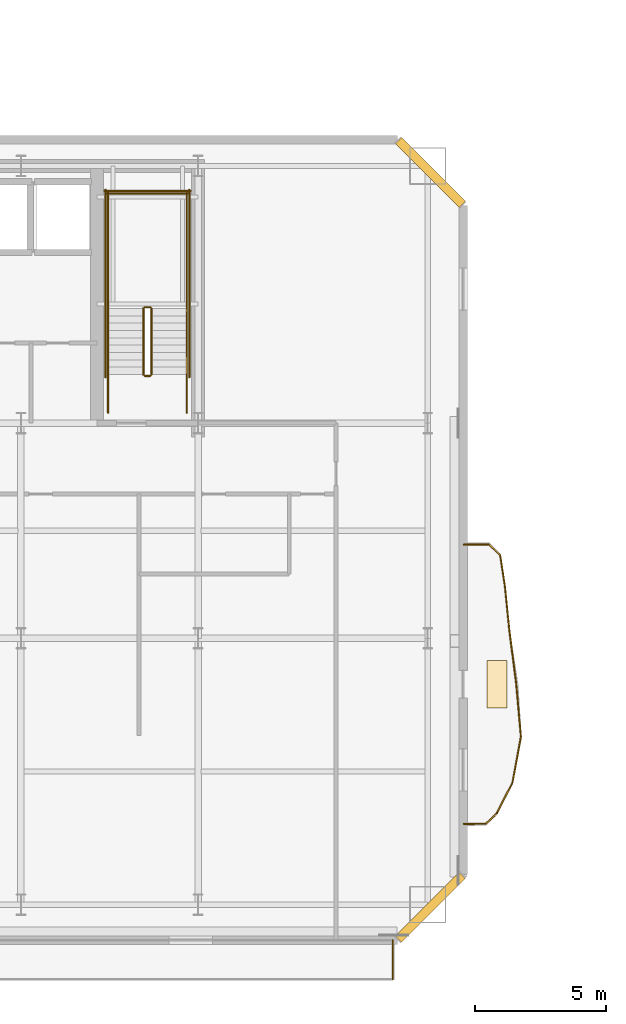
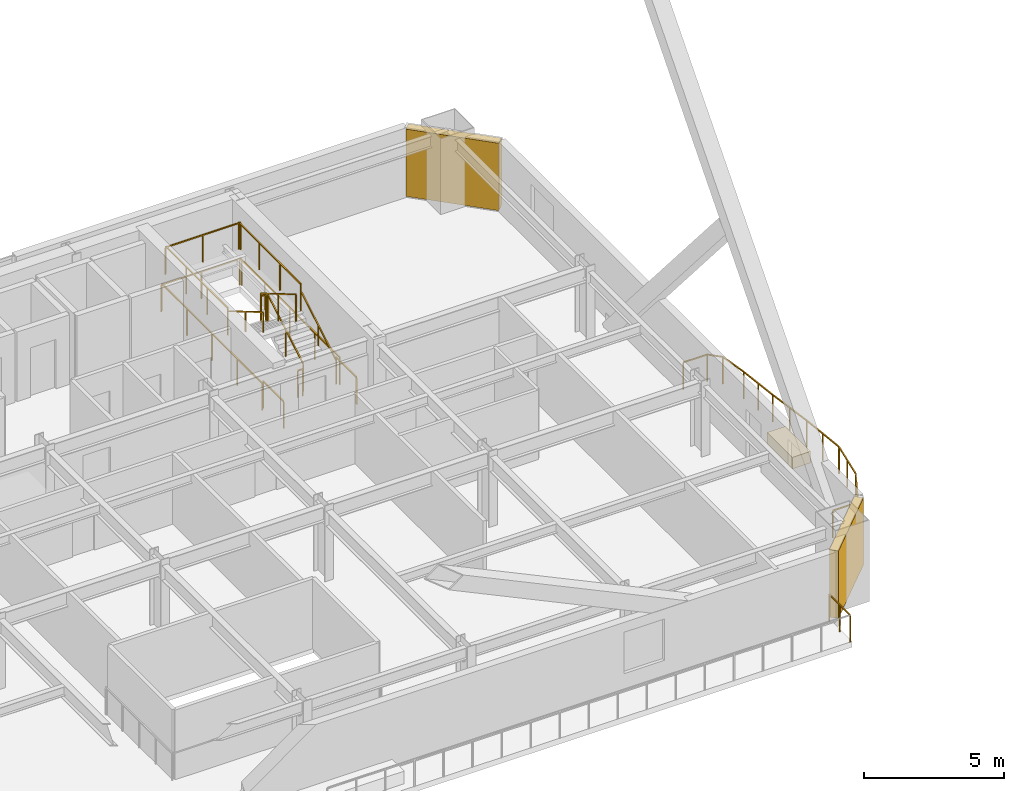
# One storey, part 19 of 22: 25 railings, 2 shading devices, 1 covering.
"""IFC4 building model written with IfcOpenShell, lengths in metres."""

from ifc_helpers import new_model, si_unit, direction, frame, origin, origin_2d, place, context, subcontext, project, spatial, rectangle, extrude, material, layer, layer_set, type_object, element, save


model = new_model("IFC4")

# Units and contexts
model_context = context("Model", 3, precision=1e-05, world=origin(), true_north=direction((0.0, 1.0)))
body_context = subcontext(model_context, "Body", "Model", "MODEL_VIEW")
ifc_project = project(units=[si_unit("LENGTHUNIT", "METRE"), si_unit("AREAUNIT", "SQUARE_METRE"), si_unit("VOLUMEUNIT", "CUBIC_METRE"), si_unit("PLANEANGLEUNIT", "RADIAN"), si_unit("MASSUNIT", "GRAM", prefix="KILO")], contexts=[model_context])

# Site, building, storey
site_placement = place(None, origin())
site = spatial("IfcSite", under=ifc_project, at=site_placement, CompositionType="ELEMENT")
building_placement = place(site_placement, origin())
building = spatial("IfcBuilding", under=site, at=building_placement, Name="Haevon Station Towers", CompositionType="ELEMENT")
storey_placement = place(building_placement, frame((0.0, 0.0, 93.300048828125)))
storey = spatial("IfcBuildingStorey", under=building, at=storey_placement, Name="L24", CompositionType="ELEMENT", Elevation=93.300048828125)

# Railings
ifc_material_1 = material(Name="Steel S355", Category="steel")
railing_type_1 = type_object("IfcRailingType", Name="GRD-EXT1200", PredefinedType="GUARDRAIL", material=ifc_material_1)
railing_1_placement = place(storey_placement, frame((58.420166015625, 17.0029296875, 0.0)))
element("IfcRailing", 1, at=railing_1_placement, inside=storey, type_object=railing_type_1, Name="L24 Perimeter Guardrail 2", PredefinedType="GUARDRAIL", context=body_context, shape_type="SweptSolid", body=[
    extrude(rectangle(XDim=0.048095703125, YDim=0.048095703125, at=origin_2d()), frame((0.0, 0.0, 1.17578125), z_axis=(0.0, 1.0, 0.0), x_axis=(-1.0, 0.0, 0.0)), (0.0, 0.0, 1.0), 1.4892578125),
    extrude(rectangle(XDim=0.0419921875, YDim=0.0419921875, at=origin_2d()), origin(), (0.0, 0.0, 1.0), 1.15185546875),
    extrude(rectangle(XDim=0.0419921875, YDim=0.0419921875, at=origin_2d()), frame((0.0, 0.74462890625, 0.0)), (0.0, 0.0, 1.0), 1.15185546875),
    extrude(rectangle(XDim=0.0419921875, YDim=0.0419921875, at=origin_2d()), frame((0.0, 1.4892578125, 0.0)), (0.0, 0.0, 1.0), 1.15185546875),
])
railing_2_placement = place(storey_placement, frame((61.12353515625, 22.927734375, 0.0)))
element("IfcRailing", 2, at=railing_2_placement, inside=storey, type_object=railing_type_1, Name="L24 Perimeter Guardrail 1", PredefinedType="GUARDRAIL", context=body_context, shape_type="SweptSolid", body=[
    extrude(rectangle(XDim=0.048095703125, YDim=0.048095703125, at=origin_2d()), frame((0.0, 0.0, 1.17578125), z_axis=(0.999997283225, 0.002330995998, 0.0), x_axis=(-0.002330995998, 0.999997283225, 0.0)), (0.0, 0.0, 1.0), 0.837890625),
    extrude(rectangle(XDim=0.0419921875, YDim=0.0419921875, at=origin_2d()), origin(), (0.0, 0.0, 1.0), 1.15185546875),
    extrude(rectangle(XDim=0.0419921875, YDim=0.0419921875, at=origin_2d()), frame((0.837890625, 0.001953125, 0.0)), (0.0, 0.0, 1.0), 1.15185546875),
])
railing_3_placement = place(storey_placement, frame((61.96142578125, 22.9296875, 0.0)))
element("IfcRailing", 3, at=railing_3_placement, inside=storey, type_object=railing_type_1, Name="L24 Perimeter Guardrail 2", PredefinedType="GUARDRAIL", context=body_context, shape_type="SweptSolid", body=[
    extrude(rectangle(XDim=0.048095703125, YDim=0.048095703125, at=origin_2d()), frame((0.0, 0.0, 1.17578125), z_axis=(0.722133455915, 0.69175376533, 0.0), x_axis=(-0.69175376533, 0.722133455915, 0.0)), (0.0, 0.0, 1.0), 0.5947265625),
    extrude(rectangle(XDim=0.0419921875, YDim=0.0419921875, at=origin_2d()), origin(), (0.0, 0.0, 1.0), 1.15185546875),
    extrude(rectangle(XDim=0.0419921875, YDim=0.0419921875, at=origin_2d()), frame((0.429443359375, 0.411376953125, 0.0)), (0.0, 0.0, 1.0), 1.15185546875),
])
railing_4_placement = place(storey_placement, frame((62.390869140625, 23.341064453125, 0.0)))
element("IfcRailing", 4, at=railing_4_placement, inside=storey, type_object=railing_type_1, Name="L24 Perimeter Guardrail 3", PredefinedType="GUARDRAIL", context=body_context, shape_type="SweptSolid", body=[
    extrude(rectangle(XDim=0.048095703125, YDim=0.048095703125, at=origin_2d()), frame((0.0, 0.0, 1.17578125), z_axis=(0.452639997868, 0.891693351063, 0.0), x_axis=(-0.891693351063, 0.452639997868, 0.0)), (0.0, 0.0, 1.0), 1.311767578125),
    extrude(rectangle(XDim=0.0419921875, YDim=0.0419921875, at=origin_2d()), origin(), (0.0, 0.0, 1.0), 1.15185546875),
    extrude(rectangle(XDim=0.0419921875, YDim=0.0419921875, at=origin_2d()), frame((0.296875, 0.5849609375, 0.0)), (0.0, 0.0, 1.0), 1.15185546875),
    extrude(rectangle(XDim=0.0419921875, YDim=0.0419921875, at=origin_2d()), frame((0.59375, 1.169677734375, 0.0)), (0.0, 0.0, 1.0), 1.15185546875),
])
railing_5_placement = place(storey_placement, frame((62.984619140625, 24.5107421875, 0.0)))
element("IfcRailing", 5, at=railing_5_placement, inside=storey, type_object=railing_type_1, Name="L24 Perimeter Guardrail 4", PredefinedType="GUARDRAIL", context=body_context, shape_type="SweptSolid", body=[
    extrude(rectangle(XDim=0.048095703125, YDim=0.048095703125, at=origin_2d()), frame((0.0, 0.0, 1.17578125), z_axis=(0.179418162839, 0.983772902068, 0.0), x_axis=(-0.983772902068, 0.179418162839, 0.0)), (0.0, 0.0, 1.0), 1.7744140625),
    extrude(rectangle(XDim=0.0419921875, YDim=0.0419921875, at=origin_2d()), origin(), (0.0, 0.0, 1.0), 1.15185546875),
    extrude(rectangle(XDim=0.0419921875, YDim=0.0419921875, at=origin_2d()), frame((0.1591796875, 0.872802734375, 0.0)), (0.0, 0.0, 1.0), 1.15185546875),
    extrude(rectangle(XDim=0.0419921875, YDim=0.0419921875, at=origin_2d()), frame((0.318359375, 1.74560546875, 0.0)), (0.0, 0.0, 1.0), 1.15185546875),
])
railing_6_placement = place(storey_placement, frame((63.302978515625, 26.25634765625, 0.0)))
element("IfcRailing", 6, at=railing_6_placement, inside=storey, type_object=railing_type_1, Name="L24 Perimeter Guardrail 5", PredefinedType="GUARDRAIL", context=body_context, shape_type="SweptSolid", body=[
    extrude(rectangle(XDim=0.048095703125, YDim=0.048095703125, at=origin_2d()), frame((0.0, 0.0, 1.17578125), z_axis=(-0.088918972693, 0.996038862844, 0.0), x_axis=(-0.996038862844, -0.088918972693, 0.0)), (0.0, 0.0, 1.0), 2.00146484375),
    extrude(rectangle(XDim=0.0419921875, YDim=0.0419921875, at=origin_2d()), origin(), (0.0, 0.0, 1.0), 1.15185546875),
    extrude(rectangle(XDim=0.0419921875, YDim=0.0419921875, at=origin_2d()), frame((-0.0888671875, 0.996826171875, 0.0)), (0.0, 0.0, 1.0), 1.15185546875),
    extrude(rectangle(XDim=0.0419921875, YDim=0.0419921875, at=origin_2d()), frame((-0.177978515625, 1.99365234375, 0.0)), (0.0, 0.0, 1.0), 1.15185546875),
])
railing_7_placement = place(storey_placement, frame((63.125, 28.25, 0.0)))
element("IfcRailing", 7, at=railing_7_placement, inside=storey, type_object=railing_type_1, Name="L24 Perimeter Guardrail 6", PredefinedType="GUARDRAIL", context=body_context, shape_type="SweptSolid", body=[
    extrude(rectangle(XDim=0.048095703125, YDim=0.048095703125, at=origin_2d()), frame((0.0, 0.0, 1.17578125), z_axis=(-0.127480675673, 0.991841054469, 0.0), x_axis=(-0.991841054469, -0.127480675673, 0.0)), (0.0, 0.0, 1.0), 2.005126953125),
    extrude(rectangle(XDim=0.0419921875, YDim=0.0419921875, at=origin_2d()), origin(), (0.0, 0.0, 1.0), 1.15185546875),
    extrude(rectangle(XDim=0.0419921875, YDim=0.0419921875, at=origin_2d()), frame((-0.1279296875, 0.994384765625, 0.0)), (0.0, 0.0, 1.0), 1.15185546875),
    extrude(rectangle(XDim=0.0419921875, YDim=0.0419921875, at=origin_2d()), frame((-0.255615234375, 1.98876953125, 0.0)), (0.0, 0.0, 1.0), 1.15185546875),
])
railing_8_placement = place(storey_placement, frame((62.869384765625, 30.23876953125, 0.0)))
element("IfcRailing", 8, at=railing_8_placement, inside=storey, type_object=railing_type_1, Name="L24 Perimeter Guardrail 7", PredefinedType="GUARDRAIL", context=body_context, shape_type="SweptSolid", body=[
    extrude(rectangle(XDim=0.048095703125, YDim=0.048095703125, at=origin_2d()), frame((0.0, 0.0, 1.17578125), z_axis=(-0.100369612016, 0.994950220355, 0.0), x_axis=(-0.994950220355, -0.100369612016, 0.0)), (0.0, 0.0, 1.0), 1.758544921875),
    extrude(rectangle(XDim=0.0419921875, YDim=0.0419921875, at=origin_2d()), origin(), (0.0, 0.0, 1.0), 1.15185546875),
    extrude(rectangle(XDim=0.0419921875, YDim=0.0419921875, at=origin_2d()), frame((-0.08837890625, 0.875, 0.0)), (0.0, 0.0, 1.0), 1.15185546875),
    extrude(rectangle(XDim=0.0419921875, YDim=0.0419921875, at=origin_2d()), frame((-0.176513671875, 1.749755859375, 0.0)), (0.0, 0.0, 1.0), 1.15185546875),
])
railing_9_placement = place(storey_placement, frame((62.69287109375, 31.988525390625, 0.0)))
element("IfcRailing", 9, at=railing_9_placement, inside=storey, type_object=railing_type_1, Name="L24 Perimeter Guardrail 8", PredefinedType="GUARDRAIL", context=body_context, shape_type="SweptSolid", body=[
    extrude(rectangle(XDim=0.048095703125, YDim=0.048095703125, at=origin_2d()), frame((0.0, 0.0, 1.17578125), z_axis=(-0.151545873125, 0.988450225524, 0.0), x_axis=(-0.988450225524, -0.151545873125, 0.0)), (0.0, 0.0, 1.0), 1.18408203125),
    extrude(rectangle(XDim=0.0419921875, YDim=0.0419921875, at=origin_2d()), origin(), (0.0, 0.0, 1.0), 1.15185546875),
    extrude(rectangle(XDim=0.0419921875, YDim=0.0419921875, at=origin_2d()), frame((-0.179443359375, 1.17041015625, 0.0)), (0.0, 0.0, 1.0), 1.15185546875),
])
railing_10_placement = place(storey_placement, frame((62.513427734375, 33.158935546875, 0.0)))
element("IfcRailing", 10, at=railing_10_placement, inside=storey, type_object=railing_type_1, Name="L24 Perimeter Guardrail 9", PredefinedType="GUARDRAIL", context=body_context, shape_type="SweptSolid", body=[
    extrude(rectangle(XDim=0.048095703125, YDim=0.048095703125, at=origin_2d()), frame((0.0, 0.0, 1.17578125), z_axis=(-0.710855721551, 0.703337858456, 0.0), x_axis=(-0.703337858456, -0.710855721551, 0.0)), (0.0, 0.0, 1.0), 0.58447265625),
    extrude(rectangle(XDim=0.0419921875, YDim=0.0419921875, at=origin_2d()), origin(), (0.0, 0.0, 1.0), 1.15185546875),
    extrude(rectangle(XDim=0.0419921875, YDim=0.0419921875, at=origin_2d()), frame((-0.41552734375, 0.4111328125, 0.0)), (0.0, 0.0, 1.0), 1.15185546875),
])
railing_11_placement = place(storey_placement, frame((62.097900390625, 33.570068359375, 0.0)))
element("IfcRailing", 11, at=railing_11_placement, inside=storey, type_object=railing_type_1, Name="L24 Perimeter Guardrail 10", PredefinedType="GUARDRAIL", context=body_context, shape_type="SweptSolid", body=[
    extrude(rectangle(XDim=0.048095703125, YDim=0.048095703125, at=origin_2d()), frame((0.0, 0.0, 1.17578125), z_axis=(-0.999997457331, 0.002255068182, 0.0), x_axis=(-0.002255068182, -0.999997457331, 0.0)), (0.0, 0.0, 1.0), 0.974365234375),
    extrude(rectangle(XDim=0.0419921875, YDim=0.0419921875, at=origin_2d()), origin(), (0.0, 0.0, 1.0), 1.15185546875),
    extrude(rectangle(XDim=0.0419921875, YDim=0.0419921875, at=origin_2d()), frame((-0.974365234375, 0.002197265625, 0.0)), (0.0, 0.0, 1.0), 1.15185546875),
])
railing_type_2 = type_object("IfcRailingType", Name="GRD-STR1200", PredefinedType="GUARDRAIL", material=ifc_material_1)
railing_12_placement = place(storey_placement, frame((49.219970703125, 40.050048828125, 0.1650390625)))
element("IfcRailing", 12, at=railing_12_placement, inside=storey, type_object=railing_type_2, Name="L24 ST2 Stair Guard 1", PredefinedType="GUARDRAIL", context=body_context, shape_type="SweptSolid", body=[
    extrude(rectangle(XDim=0.048095703125, YDim=0.048095703125, at=origin_2d()), frame((0.0, 0.0, 1.17578125), z_axis=(0.0, 0.861560626758, 0.507654692109), x_axis=(-1.0, 0.0, 0.0)), (0.0, 0.0, 1.0), 2.925048828125),
    extrude(rectangle(XDim=0.0419921875, YDim=0.0419921875, at=origin_2d()), origin(), (0.0, 0.0, 1.0), 1.15185546875),
    extrude(rectangle(XDim=0.0419921875, YDim=0.0419921875, at=origin_2d()), frame((0.0, 1.260009765625, 0.742431640625)), (0.0, 0.0, 1.0), 1.15185546875),
    extrude(rectangle(XDim=0.0419921875, YDim=0.0419921875, at=origin_2d()), frame((0.0, 2.52001953125, 1.48486328125)), (0.0, 0.0, 1.0), 1.15185546875),
])
railing_13_placement = place(storey_placement, frame((49.169921875, 42.6201171875, 1.64990234375)))
element("IfcRailing", 13, at=railing_13_placement, inside=storey, type_object=railing_type_2, Name="L24 ST2 Stair Guard 2", PredefinedType="GUARDRAIL", context=body_context, shape_type="SweptSolid", body=[
    extrude(rectangle(XDim=0.048095703125, YDim=0.048095703125, at=origin_2d()), frame((0.0, 0.0, 1.17578125), z_axis=(-1.0, 0.0, 0.0), x_axis=(0.0, -1.0, 0.0)), (0.0, 0.0, 1.0), 0.199951171875),
    extrude(rectangle(XDim=0.0419921875, YDim=0.0419921875, at=origin_2d()), origin(), (0.0, 0.0, 1.0), 1.15185546875),
    extrude(rectangle(XDim=0.0419921875, YDim=0.0419921875, at=origin_2d()), frame((-0.199951171875, 0.0, 0.0)), (0.0, 0.0, 1.0), 1.15185546875),
])
for number, where, name in (
    (14, (50.570068359375, 42.570068359375, 1.64990234375), "L24 ST2 Stair Guard 3"),
    (15, (47.570068359375, 42.570068359375, 1.64990234375), "L24 ST2 Stair Guard 4"),
):
    element("IfcRailing", number, at=place(storey_placement, frame(where)), inside=storey, type_object=railing_type_2, Name=name, PredefinedType="GUARDRAIL", context=body_context, shape_type="SweptSolid", body=[
        extrude(rectangle(XDim=0.048095703125, YDim=0.048095703125, at=origin_2d()), frame((0.0, 0.0, 1.17578125), z_axis=(0.0, 1.0, 0.0), x_axis=(-1.0, 0.0, 0.0)), (0.0, 0.0, 1.0), 4.429931640625),
        extrude(rectangle(XDim=0.0419921875, YDim=0.0419921875, at=origin_2d()), origin(), (0.0, 0.0, 1.0), 1.15185546875),
        extrude(rectangle(XDim=0.0419921875, YDim=0.0419921875, at=origin_2d()), frame((0.0, 1.4765625, 0.0)), (0.0, 0.0, 1.0), 1.15185546875),
        extrude(rectangle(XDim=0.0419921875, YDim=0.0419921875, at=origin_2d()), frame((0.0, 2.953369140625, 0.0)), (0.0, 0.0, 1.0), 1.15185546875),
        extrude(rectangle(XDim=0.0419921875, YDim=0.0419921875, at=origin_2d()), frame((0.0, 4.429931640625, 0.0)), (0.0, 0.0, 1.0), 1.15185546875),
    ])
railing_14_placement = place(storey_placement, frame((50.6201171875, 46.949951171875, 1.64990234375)))
element("IfcRailing", 16, at=railing_14_placement, inside=storey, type_object=railing_type_2, Name="L24 ST2 Stair Guard 5", PredefinedType="GUARDRAIL", context=body_context, shape_type="SweptSolid", body=[
    extrude(rectangle(XDim=0.048095703125, YDim=0.048095703125, at=origin_2d()), frame((0.0, 0.0, 1.17578125), z_axis=(-1.0, 0.0, 0.0), x_axis=(0.0, -1.0, 0.0)), (0.0, 0.0, 1.0), 3.10009765625),
    extrude(rectangle(XDim=0.0419921875, YDim=0.0419921875, at=origin_2d()), origin(), (0.0, 0.0, 1.0), 1.15185546875),
    extrude(rectangle(XDim=0.0419921875, YDim=0.0419921875, at=origin_2d()), frame((-1.550048828125, 0.0, 0.0)), (0.0, 0.0, 1.0), 1.15185546875),
    extrude(rectangle(XDim=0.0419921875, YDim=0.0419921875, at=origin_2d()), frame((-3.10009765625, 0.0, 0.0)), (0.0, 0.0, 1.0), 1.15185546875),
])
railing_15_placement = place(storey_placement, frame((48.919921875, 42.570068359375, 1.81494140625)))
element("IfcRailing", 17, at=railing_15_placement, inside=storey, type_object=railing_type_2, Name="L24 ST2 Stair Guard 6", PredefinedType="GUARDRAIL", context=body_context, shape_type="SweptSolid", body=[
    extrude(rectangle(XDim=0.048095703125, YDim=0.048095703125, at=origin_2d()), frame((0.0, 0.0, 1.17578125), z_axis=(0.0, -0.86152411907, 0.507716645641), x_axis=(1.0, 0.0, 0.0)), (0.0, 0.0, 1.0), 2.925048828125),
    extrude(rectangle(XDim=0.0419921875, YDim=0.0419921875, at=origin_2d()), origin(), (0.0, 0.0, 1.0), 1.15185546875),
    extrude(rectangle(XDim=0.0419921875, YDim=0.0419921875, at=origin_2d()), frame((0.0, -1.260009765625, 0.74267578125)), (0.0, 0.0, 1.0), 1.15185546875),
    extrude(rectangle(XDim=0.0419921875, YDim=0.0419921875, at=origin_2d()), frame((0.0, -2.52001953125, 1.485107421875)), (0.0, 0.0, 1.0), 1.15185546875),
])
railing_16_placement = place(storey_placement, frame((49.169921875, 40.0, 0.0)))
element("IfcRailing", 18, at=railing_16_placement, inside=storey, type_object=railing_type_2, Name="L24 ST2 Stair Guard 7", PredefinedType="GUARDRAIL", context=body_context, shape_type="SweptSolid", body=[
    extrude(rectangle(XDim=0.048095703125, YDim=0.048095703125, at=origin_2d()), frame((0.0, 0.0, 1.17578125), z_axis=(-1.0, 0.0, 0.0), x_axis=(0.0, -1.0, 0.0)), (0.0, 0.0, 1.0), 0.199951171875),
    extrude(rectangle(XDim=0.0419921875, YDim=0.0419921875, at=origin_2d()), origin(), (0.0, 0.0, 1.0), 1.15185546875),
    extrude(rectangle(XDim=0.0419921875, YDim=0.0419921875, at=origin_2d()), frame((-0.199951171875, 0.0, 0.0)), (0.0, 0.0, 1.0), 1.15185546875),
])
for number, where, name in (
    (19, (50.570068359375, 38.60009765625, 0.0), "L24 ST2 Stair Guard 8"),
    (20, (47.570068359375, 38.60009765625, 0.0), "L24 ST2 Stair Guard 9"),
):
    element("IfcRailing", number, at=place(storey_placement, frame(where)), inside=storey, type_object=railing_type_2, Name=name, PredefinedType="GUARDRAIL", context=body_context, shape_type="SweptSolid", body=[
        extrude(rectangle(XDim=0.048095703125, YDim=0.048095703125, at=origin_2d()), frame((0.0, 0.0, 1.17578125), z_axis=(0.0, 1.0, 0.0), x_axis=(-1.0, 0.0, 0.0)), (0.0, 0.0, 1.0), 1.449951171875),
        extrude(rectangle(XDim=0.0419921875, YDim=0.0419921875, at=origin_2d()), origin(), (0.0, 0.0, 1.0), 1.15185546875),
        extrude(rectangle(XDim=0.0419921875, YDim=0.0419921875, at=origin_2d()), frame((0.0, 1.449951171875, 0.0)), (0.0, 0.0, 1.0), 1.15185546875),
    ])
for number, where, name in (
    (21, (50.669921875, 39.949951171875, 0.0), "L24 ST2 Stair Guard 10"),
    (22, (47.469970703125, 39.949951171875, 0.0), "L24 ST2 Stair Guard 11"),
):
    element("IfcRailing", number, at=place(storey_placement, frame(where)), inside=storey, type_object=railing_type_2, Name=name, PredefinedType="GUARDRAIL", context=body_context, shape_type="SweptSolid", body=[
        extrude(rectangle(XDim=0.048095703125, YDim=0.048095703125, at=origin_2d()), frame((0.0, 0.0, 1.17578125), z_axis=(0.0, 1.0, 0.0), x_axis=(-1.0, 0.0, 0.0)), (0.0, 0.0, 1.0), 7.150146484375),
        extrude(rectangle(XDim=0.0419921875, YDim=0.0419921875, at=origin_2d()), origin(), (0.0, 0.0, 1.0), 1.15185546875),
        extrude(rectangle(XDim=0.0419921875, YDim=0.0419921875, at=origin_2d()), frame((0.0, 1.78759765625, 0.0)), (0.0, 0.0, 1.0), 1.15185546875),
        extrude(rectangle(XDim=0.0419921875, YDim=0.0419921875, at=origin_2d()), frame((0.0, 3.5751953125, 0.0)), (0.0, 0.0, 1.0), 1.15185546875),
        extrude(rectangle(XDim=0.0419921875, YDim=0.0419921875, at=origin_2d()), frame((0.0, 5.362548828125, 0.0)), (0.0, 0.0, 1.0), 1.15185546875),
        extrude(rectangle(XDim=0.0419921875, YDim=0.0419921875, at=origin_2d()), frame((0.0, 7.150146484375, 0.0)), (0.0, 0.0, 1.0), 1.15185546875),
    ])
railing_17_placement = place(storey_placement, frame((50.719970703125, 47.050048828125, 0.0)))
element("IfcRailing", 23, at=railing_17_placement, inside=storey, type_object=railing_type_2, Name="L24 ST2 Stair Guard 12", PredefinedType="GUARDRAIL", context=body_context, shape_type="SweptSolid", body=[
    extrude(rectangle(XDim=0.048095703125, YDim=0.048095703125, at=origin_2d()), frame((0.0, 0.0, 1.17578125), z_axis=(-1.0, 0.0, 0.0), x_axis=(0.0, -1.0, 0.0)), (0.0, 0.0, 1.0), 3.300048828125),
    extrude(rectangle(XDim=0.0419921875, YDim=0.0419921875, at=origin_2d()), origin(), (0.0, 0.0, 1.0), 1.15185546875),
    extrude(rectangle(XDim=0.0419921875, YDim=0.0419921875, at=origin_2d()), frame((-1.64990234375, 0.0, 0.0)), (0.0, 0.0, 1.0), 1.15185546875),
    extrude(rectangle(XDim=0.0419921875, YDim=0.0419921875, at=origin_2d()), frame((-3.300048828125, 0.0, 0.0)), (0.0, 0.0, 1.0), 1.15185546875),
])
railing_type_3 = type_object("IfcRailingType", Name="HND-STR900", PredefinedType="HANDRAIL", material=ifc_material_1)
railing_18_placement = place(storey_placement, frame((50.570068359375, 40.050048828125, 0.1650390625)))
element("IfcRailing", 24, at=railing_18_placement, inside=storey, type_object=railing_type_3, Name="L24 ST2 Stair Handrail 1", PredefinedType="HANDRAIL", context=body_context, shape_type="SweptSolid", body=[
    extrude(rectangle(XDim=0.048095703125, YDim=0.048095703125, at=origin_2d()), frame((0.0, 0.0, 0.8759765625), z_axis=(0.0, 0.861560626758, 0.507654692109), x_axis=(-1.0, 0.0, 0.0)), (0.0, 0.0, 1.0), 2.925048828125),
    extrude(rectangle(XDim=0.0419921875, YDim=0.0419921875, at=origin_2d()), origin(), (0.0, 0.0, 1.0), 0.851806640625),
    extrude(rectangle(XDim=0.0419921875, YDim=0.0419921875, at=origin_2d()), frame((0.0, 1.260009765625, 0.742431640625)), (0.0, 0.0, 1.0), 0.851806640625),
    extrude(rectangle(XDim=0.0419921875, YDim=0.0419921875, at=origin_2d()), frame((0.0, 2.52001953125, 1.48486328125)), (0.0, 0.0, 1.0), 0.851806640625),
])
railing_19_placement = place(storey_placement, frame((47.570068359375, 42.570068359375, 1.81494140625)))
element("IfcRailing", 25, at=railing_19_placement, inside=storey, type_object=railing_type_3, Name="L24 ST2 Stair Handrail 2", PredefinedType="HANDRAIL", context=body_context, shape_type="SweptSolid", body=[
    extrude(rectangle(XDim=0.048095703125, YDim=0.048095703125, at=origin_2d()), frame((0.0, 0.0, 0.8759765625), z_axis=(0.0, -0.86152411907, 0.507716645641), x_axis=(1.0, 0.0, 0.0)), (0.0, 0.0, 1.0), 2.925048828125),
    extrude(rectangle(XDim=0.0419921875, YDim=0.0419921875, at=origin_2d()), origin(), (0.0, 0.0, 1.0), 0.851806640625),
    extrude(rectangle(XDim=0.0419921875, YDim=0.0419921875, at=origin_2d()), frame((0.0, -1.260009765625, 0.74267578125)), (0.0, 0.0, 1.0), 0.851806640625),
    extrude(rectangle(XDim=0.0419921875, YDim=0.0419921875, at=origin_2d()), frame((0.0, -2.52001953125, 1.485107421875)), (0.0, 0.0, 1.0), 0.851806640625),
])

# Covering
ifc_material_2 = material(Name="Architectural planter GRC", Category="concrete")
ifc_layer_1 = layer(ifc_material_2, 0.550048828125)
ifc_layer_set_1 = layer_set([ifc_layer_1], Name="Architectural planter GRC")
covering_type = type_object("IfcCoveringType", Name="PLN-GRC550", PredefinedType="MOLDING", material=ifc_layer_set_1)
covering_placement = place(storey_placement, frame((62.39013671875, 28.25, 0.0), z_axis=(0.0, 0.0, 1.0), x_axis=(1.0, 0.0, 0.0)))
element("IfcCovering", 26, at=covering_placement, inside=storey, type_object=covering_type, Name="Tower 1 L24 Scalloped Balcony PLANTER", PredefinedType="MOLDING", context=body_context, shape_type="SweptSolid", body=[
    extrude(rectangle(XDim=0.75, YDim=1.800048828125, at=origin_2d()), origin(), (0.0, 0.0, 1.0), 0.5),
])

# Shading devices
ifc_material_3 = material(Name="Anodised aluminium 6063-T6", Category="aluminium")
ifc_layer_2 = layer(ifc_material_3, 0.139892578125)
ifc_layer_set_2 = layer_set([ifc_layer_2], Name="Anodised aluminium 6063-T6")
shading_device_type = type_object("IfcShadingDeviceType", Name="SHD-WIND-BAFFLE", PredefinedType="SHUTTER", material=ifc_layer_set_2)
for number, where, z_axis, x_axis, name in (
    (27, (59.85009765625, 47.75, 0.0498046875), (0.0, 0.0, 1.0), (0.707106781187, -0.707106781187, 0.0), "Tower 1 L24 Wind-Corner Aerofoil Baffle NEC"),
    (28, (59.85009765625, 19.75, 0.0498046875), (0.0, 0.0, 1.0), (-0.707106781187, -0.707106781187, 0.0), "Tower 1 L24 Wind-Corner Aerofoil Baffle SEC"),
):
    element("IfcShadingDevice", number, at=place(storey_placement, frame(where, z_axis=z_axis, x_axis=x_axis)), inside=storey, type_object=shading_device_type, Name=name, PredefinedType="SHUTTER", context=body_context, shape_type="SweptSolid", body=[
        extrude(rectangle(XDim=3.435546875, YDim=0.340087890625, at=origin_2d()), origin(), (0.0, 0.0, 1.0), 2.929931640625),
    ])

save(model, "model.ifc")
